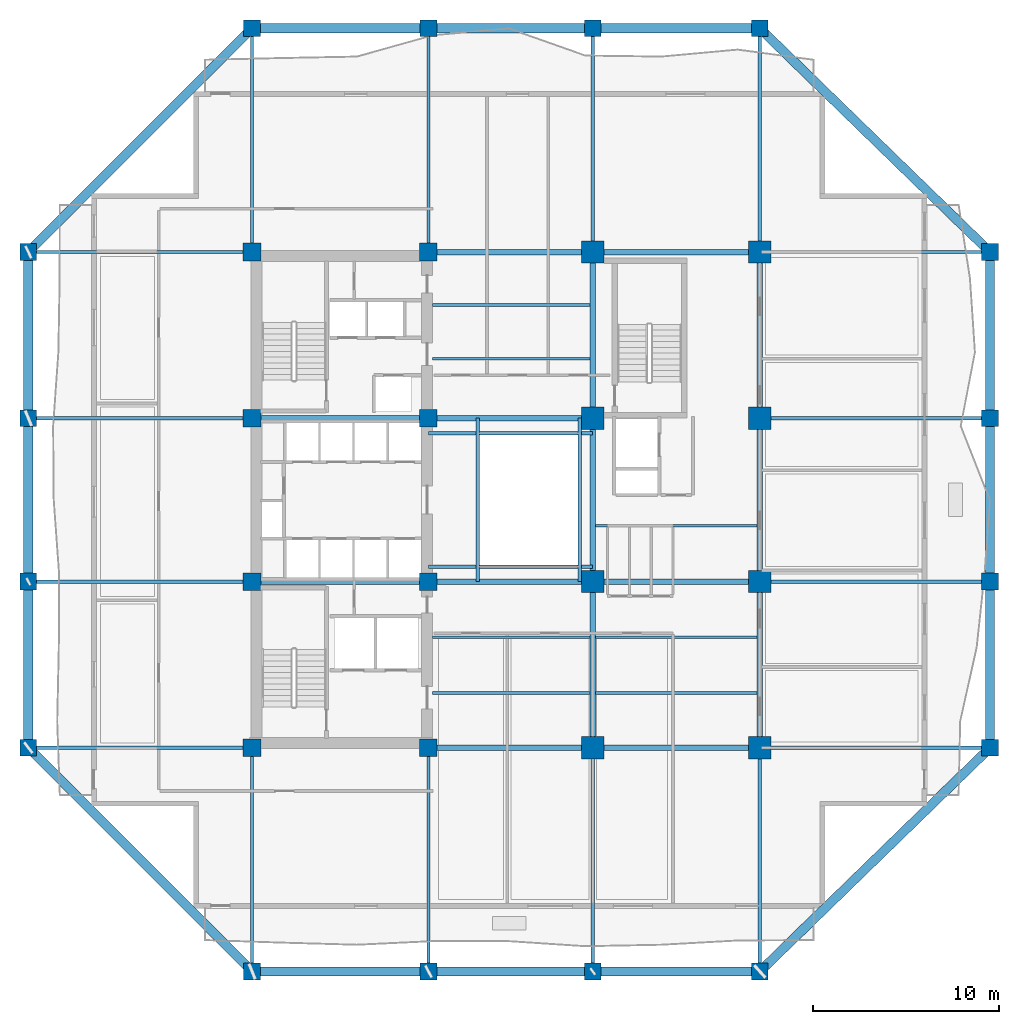
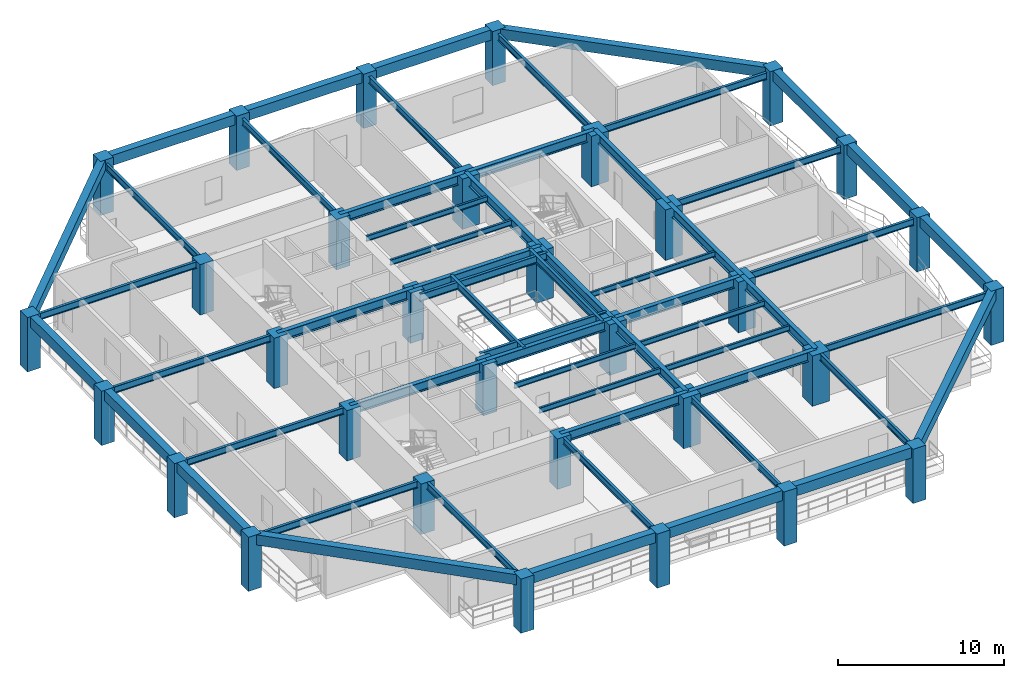
# One storey, part 1 of 13: 58 beams, 32 columns.
"""IFC4 building model written with IfcOpenShell, lengths in metres."""

from ifc_helpers import new_model, si_unit, direction, frame, origin, origin_2d, place, context, subcontext, project, spatial, rectangle, i_section, extrude, material, material_profile, profile_set, type_object, element, save


model = new_model("IFC4")

# Units and contexts
model_context = context("Model", 3, precision=1e-05, world=origin(), true_north=direction((0.0, 1.0)))
body_context = subcontext(model_context, "Body", "Model", "MODEL_VIEW")
ifc_project = project(units=[si_unit("LENGTHUNIT", "METRE"), si_unit("AREAUNIT", "SQUARE_METRE"), si_unit("VOLUMEUNIT", "CUBIC_METRE"), si_unit("PLANEANGLEUNIT", "RADIAN"), si_unit("MASSUNIT", "GRAM", prefix="KILO")], contexts=[model_context])

# Site, building, storey
site_placement = place(None, origin())
site = spatial("IfcSite", under=ifc_project, at=site_placement, CompositionType="ELEMENT")
building_placement = place(site_placement, origin())
building = spatial("IfcBuilding", under=site, at=building_placement, Name="Kundavana Baori Tower", CompositionType="ELEMENT")
storey_placement = place(building_placement, frame((0.0, 0.0, 50.0)))
storey = spatial("IfcBuildingStorey", under=building, at=storey_placement, Name="L11", CompositionType="ELEMENT", Elevation=50.0)

# Columns
ifc_material_1 = material(Name="Concrete C60/75", Category="concrete")
ifc_material_profile_1 = material_profile(ifc_material_1, rectangle(XDim=0.89990234375, YDim=0.89990234375, at=origin_2d()), Name="RC PF 900x900")
ifc_profile_set_1 = profile_set([ifc_material_profile_1], Name="Concrete C60/75")
column_type_1 = type_object("IfcColumnType", Name="COL-PF-900", PredefinedType="COLUMN", material=ifc_profile_set_1)
for number, where, z_axis, x_axis, name in (
    (1, (15.449951171875, 3.199951171875, 0.0), (0.0, 0.0, 1.0), (1.0, 0.0, 0.0), "L11 Stone-Clad Perimeter Frame Column PF-S1"),
    (2, (15.449951171875, 54.0, 0.0), (0.0, 0.0, 1.0), (1.0, 0.0, 0.0), "L11 Stone-Clad Perimeter Frame Column PF-N1"),
    (3, (24.949951171875, 3.199951171875, 0.0), (0.0, 0.0, 1.0), (1.0, 0.0, 0.0), "L11 Stone-Clad Perimeter Frame Column PF-S2"),
    (4, (24.949951171875, 54.0, 0.0), (0.0, 0.0, 1.0), (1.0, 0.0, 0.0), "L11 Stone-Clad Perimeter Frame Column PF-N2"),
    (5, (33.800048828125, 3.199951171875, 0.0), (0.0, 0.0, 1.0), (1.0, 0.0, 0.0), "L11 Stone-Clad Perimeter Frame Column PF-S3"),
    (6, (33.800048828125, 54.0, 0.0), (0.0, 0.0, 1.0), (1.0, 0.0, 0.0), "L11 Stone-Clad Perimeter Frame Column PF-N3"),
    (7, (42.800048828125, 3.199951171875, 0.0), (0.0, 0.0, 1.0), (1.0, 0.0, 0.0), "L11 Stone-Clad Perimeter Frame Column PF-S4"),
    (8, (42.800048828125, 54.0, 0.0), (0.0, 0.0, 1.0), (1.0, 0.0, 0.0), "L11 Stone-Clad Perimeter Frame Column PF-N4"),
    (9, (3.39990234375, 15.25, 0.0), (0.0, 0.0, 1.0), (1.0, 0.0, 0.0), "L11 Stone-Clad Perimeter Frame Column PF-W1"),
    (10, (55.199951171875, 15.25, 0.0), (0.0, 0.0, 1.0), (1.0, 0.0, 0.0), "L11 Stone-Clad Perimeter Frame Column PF-E1"),
    (11, (3.39990234375, 24.199951171875, 0.0), (0.0, 0.0, 1.0), (1.0, 0.0, 0.0), "L11 Stone-Clad Perimeter Frame Column PF-W2"),
    (12, (55.199951171875, 24.199951171875, 0.0), (0.0, 0.0, 1.0), (1.0, 0.0, 0.0), "L11 Stone-Clad Perimeter Frame Column PF-E2"),
    (13, (3.39990234375, 33.0, 0.0), (0.0, 0.0, 1.0), (1.0, 0.0, 0.0), "L11 Stone-Clad Perimeter Frame Column PF-W3"),
    (14, (55.199951171875, 33.0, 0.0), (0.0, 0.0, 1.0), (1.0, 0.0, 0.0), "L11 Stone-Clad Perimeter Frame Column PF-E3"),
    (15, (3.39990234375, 41.949951171875, 0.0), (0.0, 0.0, 1.0), (1.0, 0.0, 0.0), "L11 Stone-Clad Perimeter Frame Column PF-W4"),
    (16, (55.199951171875, 41.949951171875, 0.0), (0.0, 0.0, 1.0), (1.0, 0.0, 0.0), "L11 Stone-Clad Perimeter Frame Column PF-E4"),
):
    element("IfcColumn", number, at=place(storey_placement, frame(where, z_axis=z_axis, x_axis=x_axis)), inside=storey, type_object=column_type_1, Name=name, PredefinedType="COLUMN", context=body_context, shape_type="SweptSolid", body=[
        extrude(rectangle(XDim=0.89990234375, YDim=0.89990234375, at=origin_2d()), origin(), (0.0, 0.0, 1.0), 4.0),
    ])
ifc_material_2 = material(Name="Concrete C60/75", Category="concrete")
ifc_material_profile_2 = material_profile(ifc_material_2, rectangle(XDim=1.199951171875, YDim=1.199951171875, at=origin_2d()), Name="RC 1200x1200")
ifc_profile_set_2 = profile_set([ifc_material_profile_2], Name="Concrete C60/75")
column_type_2 = type_object("IfcColumnType", Name="COL-RC-1200", PredefinedType="COLUMN", material=ifc_profile_set_2)
for number, where, z_axis, x_axis, name in (
    (17, (33.800048828125, 15.25, 0.0), (0.0, 0.0, 1.0), (1.0, 0.0, 0.0), "L11 Interior Column IC-5C"),
    (18, (33.800048828125, 24.199951171875, 0.0), (0.0, 0.0, 1.0), (1.0, 0.0, 0.0), "L11 Interior Column IC-5D"),
    (19, (33.800048828125, 33.0, 0.0), (0.0, 0.0, 1.0), (1.0, 0.0, 0.0), "L11 Interior Column IC-5E"),
    (20, (33.800048828125, 41.949951171875, 0.0), (0.0, 0.0, 1.0), (1.0, 0.0, 0.0), "L11 Interior Column IC-5F"),
    (21, (42.800048828125, 15.25, 0.0), (0.0, 0.0, 1.0), (1.0, 0.0, 0.0), "L11 Interior Column IC-6C"),
    (22, (42.800048828125, 24.199951171875, 0.0), (0.0, 0.0, 1.0), (1.0, 0.0, 0.0), "L11 Interior Column IC-6D"),
    (23, (42.800048828125, 33.0, 0.0), (0.0, 0.0, 1.0), (1.0, 0.0, 0.0), "L11 Interior Column IC-6E"),
    (24, (42.800048828125, 41.949951171875, 0.0), (0.0, 0.0, 1.0), (1.0, 0.0, 0.0), "L11 Interior Column IC-6F"),
):
    element("IfcColumn", number, at=place(storey_placement, frame(where, z_axis=z_axis, x_axis=x_axis)), inside=storey, type_object=column_type_2, Name=name, PredefinedType="COLUMN", context=body_context, shape_type="SweptSolid", body=[
        extrude(rectangle(XDim=1.199951171875, YDim=1.199951171875, at=origin_2d()), origin(), (0.0, 0.0, 1.0), 3.719970703125),
    ])
ifc_material_3 = material(Name="Concrete C50/60", Category="concrete")
ifc_material_profile_3 = material_profile(ifc_material_3, rectangle(XDim=0.949951171875, YDim=0.949951171875, at=origin_2d()), Name="RC 950x950")
ifc_profile_set_3 = profile_set([ifc_material_profile_3], Name="Concrete C50/60")
column_type_3 = type_object("IfcColumnType", Name="COL-RC-950", PredefinedType="COLUMN", material=ifc_profile_set_3)
for number, where, z_axis, x_axis, name in (
    (25, (15.449951171875, 15.25, 0.0), (0.0, 0.0, 1.0), (1.0, 0.0, 0.0), "L11 Interior Column IC-3C"),
    (26, (15.449951171875, 24.199951171875, 0.0), (0.0, 0.0, 1.0), (1.0, 0.0, 0.0), "L11 Interior Column IC-3D"),
    (27, (15.449951171875, 33.0, 0.0), (0.0, 0.0, 1.0), (1.0, 0.0, 0.0), "L11 Interior Column IC-3E"),
    (28, (15.449951171875, 41.949951171875, 0.0), (0.0, 0.0, 1.0), (1.0, 0.0, 0.0), "L11 Interior Column IC-3F"),
    (29, (24.949951171875, 15.25, 0.0), (0.0, 0.0, 1.0), (1.0, 0.0, 0.0), "L11 Interior Column IC-4C"),
    (30, (24.949951171875, 24.199951171875, 0.0), (0.0, 0.0, 1.0), (1.0, 0.0, 0.0), "L11 Interior Column IC-4D"),
    (31, (24.949951171875, 33.0, 0.0), (0.0, 0.0, 1.0), (1.0, 0.0, 0.0), "L11 Interior Column IC-4E"),
    (32, (24.949951171875, 41.949951171875, 0.0), (0.0, 0.0, 1.0), (1.0, 0.0, 0.0), "L11 Interior Column IC-4F"),
):
    element("IfcColumn", number, at=place(storey_placement, frame(where, z_axis=z_axis, x_axis=x_axis)), inside=storey, type_object=column_type_3, Name=name, PredefinedType="COLUMN", context=body_context, shape_type="SweptSolid", body=[
        extrude(rectangle(XDim=0.949951171875, YDim=0.949951171875, at=origin_2d()), origin(), (0.0, 0.0, 1.0), 3.719970703125),
    ])

# Beams
ifc_material_4 = material(Name="Structural Steel S355JR", Category="steel")
ifc_material_profile_4 = material_profile(ifc_material_4, i_section(OverallWidth=0.139892578125, OverallDepth=0.39990234375, WebThickness=0.0087890625, FlangeThickness=0.01611328125, FilletRadius=0.013916015625, at=origin_2d()), Name="ISMB 400")
ifc_profile_set_4 = profile_set([ifc_material_profile_4], Name="Structural Steel S355JR")
beam_type_1 = type_object("IfcBeamType", Name="BM-JST-400", PredefinedType="JOIST", material=ifc_profile_set_4)
for number, where, z_axis, x_axis, name in (
    (33, (25.179931640625, 18.199951171875, 3.52001953125), (1.0, 0.0, 0.0), (0.0, 1.0, 0.0), "L11 Central Bay Composite Floor Joist C1"),
    (34, (25.179931640625, 21.199951171875, 3.52001953125), (1.0, 0.0, 0.0), (0.0, 1.0, 0.0), "L11 Central Bay Composite Floor Joist C2"),
    (35, (25.179931640625, 36.199951171875, 3.52001953125), (1.0, 0.0, 0.0), (0.0, 1.0, 0.0), "L11 Central Bay Composite Floor Joist C3"),
    (36, (25.179931640625, 39.10009765625, 3.52001953125), (1.0, 0.0, 0.0), (0.0, 1.0, 0.0), "L11 Central Bay Composite Floor Joist C4"),
):
    element("IfcBeam", number, at=place(storey_placement, frame(where, z_axis=z_axis, x_axis=x_axis)), inside=storey, type_object=beam_type_1, Name=name, PredefinedType="JOIST", context=body_context, shape_type="SweptSolid", body=[
        extrude(i_section(OverallWidth=0.139892578125, OverallDepth=0.39990234375, WebThickness=0.0087890625, FlangeThickness=0.01611328125, FilletRadius=0.013916015625, at=origin_2d()), origin(), (0.0, 0.0, 1.0), 8.469970703125),
    ])
for number, where, z_axis, x_axis, name in (
    (37, (33.949951171875, 18.199951171875, 3.52001953125), (1.0, 0.0, 0.0), (0.0, 1.0, 0.0), "L11 East Bay Composite Floor Joist E1"),
    (38, (33.949951171875, 21.199951171875, 3.52001953125), (1.0, 0.0, 0.0), (0.0, 1.0, 0.0), "L11 East Bay Composite Floor Joist E2"),
    (39, (33.949951171875, 27.199951171875, 3.52001953125), (1.0, 0.0, 0.0), (0.0, 1.0, 0.0), "L11 East Bay Composite Floor Joist E3"),
):
    element("IfcBeam", number, at=place(storey_placement, frame(where, z_axis=z_axis, x_axis=x_axis)), inside=storey, type_object=beam_type_1, Name=name, PredefinedType="JOIST", context=body_context, shape_type="SweptSolid", body=[
        extrude(i_section(OverallWidth=0.139892578125, OverallDepth=0.39990234375, WebThickness=0.0087890625, FlangeThickness=0.01611328125, FilletRadius=0.013916015625, at=origin_2d()), origin(), (0.0, 0.0, 1.0), 8.699951171875),
    ])
ifc_material_5 = material(Name="Concrete C50/60", Category="concrete")
ifc_material_profile_5 = material_profile(ifc_material_5, rectangle(XDim=0.5, YDim=0.75, at=origin_2d()), Name="RC BM 500x750")
ifc_profile_set_5 = profile_set([ifc_material_profile_5], Name="Concrete C50/60")
beam_type_2 = type_object("IfcBeamType", Name="BM-PF-750", PredefinedType="SPANDREL", material=ifc_profile_set_5)
beam_1_placement = place(storey_placement, frame((15.449951171875, 3.199951171875, 3.625), z_axis=(1.0, 0.0, 0.0), x_axis=(0.0, 1.0, 0.0)))
element("IfcBeam", 40, at=beam_1_placement, inside=storey, type_object=beam_type_2, Name="L11 Perimeter Frame Ring Beam S1", PredefinedType="SPANDREL", context=body_context, shape_type="SweptSolid", body=[
    extrude(rectangle(XDim=0.5, YDim=0.75, at=origin_2d()), origin(), (0.0, 0.0, 1.0), 9.5),
])
beam_2_placement = place(storey_placement, frame((24.949951171875, 3.199951171875, 3.625), z_axis=(1.0, 0.0, 0.0), x_axis=(0.0, 1.0, 0.0)))
element("IfcBeam", 41, at=beam_2_placement, inside=storey, type_object=beam_type_2, Name="L11 Perimeter Frame Ring Beam S2", PredefinedType="SPANDREL", context=body_context, shape_type="SweptSolid", body=[
    extrude(rectangle(XDim=0.5, YDim=0.75, at=origin_2d()), origin(), (0.0, 0.0, 1.0), 8.85009765625),
])
beam_3_placement = place(storey_placement, frame((33.800048828125, 3.199951171875, 3.625), z_axis=(1.0, 0.0, 0.0), x_axis=(0.0, 1.0, 0.0)))
element("IfcBeam", 42, at=beam_3_placement, inside=storey, type_object=beam_type_2, Name="L11 Perimeter Frame Ring Beam S3", PredefinedType="SPANDREL", context=body_context, shape_type="SweptSolid", body=[
    extrude(rectangle(XDim=0.5, YDim=0.75, at=origin_2d()), origin(), (0.0, 0.0, 1.0), 9.0),
])
beam_4_placement = place(storey_placement, frame((15.449951171875, 54.0, 3.625), z_axis=(1.0, 0.0, 0.0), x_axis=(0.0, 1.0, 0.0)))
element("IfcBeam", 43, at=beam_4_placement, inside=storey, type_object=beam_type_2, Name="L11 Perimeter Frame Ring Beam N1", PredefinedType="SPANDREL", context=body_context, shape_type="SweptSolid", body=[
    extrude(rectangle(XDim=0.5, YDim=0.75, at=origin_2d()), origin(), (0.0, 0.0, 1.0), 9.5),
])
beam_5_placement = place(storey_placement, frame((24.949951171875, 54.0, 3.625), z_axis=(1.0, 0.0, 0.0), x_axis=(0.0, 1.0, 0.0)))
element("IfcBeam", 44, at=beam_5_placement, inside=storey, type_object=beam_type_2, Name="L11 Perimeter Frame Ring Beam N2", PredefinedType="SPANDREL", context=body_context, shape_type="SweptSolid", body=[
    extrude(rectangle(XDim=0.5, YDim=0.75, at=origin_2d()), origin(), (0.0, 0.0, 1.0), 8.85009765625),
])
beam_6_placement = place(storey_placement, frame((33.800048828125, 54.0, 3.625), z_axis=(1.0, 0.0, 0.0), x_axis=(0.0, 1.0, 0.0)))
element("IfcBeam", 45, at=beam_6_placement, inside=storey, type_object=beam_type_2, Name="L11 Perimeter Frame Ring Beam N3", PredefinedType="SPANDREL", context=body_context, shape_type="SweptSolid", body=[
    extrude(rectangle(XDim=0.5, YDim=0.75, at=origin_2d()), origin(), (0.0, 0.0, 1.0), 9.0),
])
beam_7_placement = place(storey_placement, frame((3.39990234375, 15.25, 3.625), z_axis=(0.0, 1.0, 0.0), x_axis=(-1.0, 0.0, 0.0)))
element("IfcBeam", 46, at=beam_7_placement, inside=storey, type_object=beam_type_2, Name="L11 Perimeter Frame Ring Beam W1", PredefinedType="SPANDREL", context=body_context, shape_type="SweptSolid", body=[
    extrude(rectangle(XDim=0.5, YDim=0.75, at=origin_2d()), origin(), (0.0, 0.0, 1.0), 8.949951171875),
])
beam_8_placement = place(storey_placement, frame((3.39990234375, 24.199951171875, 3.625), z_axis=(0.0, 1.0, 0.0), x_axis=(-1.0, 0.0, 0.0)))
element("IfcBeam", 47, at=beam_8_placement, inside=storey, type_object=beam_type_2, Name="L11 Perimeter Frame Ring Beam W2", PredefinedType="SPANDREL", context=body_context, shape_type="SweptSolid", body=[
    extrude(rectangle(XDim=0.5, YDim=0.75, at=origin_2d()), origin(), (0.0, 0.0, 1.0), 8.800048828125),
])
for number, where, z_axis, x_axis, name in (
    (48, (3.39990234375, 33.0, 3.625), (0.0, 1.0, 0.0), (-1.0, 0.0, 0.0), "L11 Perimeter Frame Ring Beam W3"),
    (49, (55.199951171875, 15.25, 3.625), (0.0, 1.0, 0.0), (-1.0, 0.0, 0.0), "L11 Perimeter Frame Ring Beam E1"),
):
    element("IfcBeam", number, at=place(storey_placement, frame(where, z_axis=z_axis, x_axis=x_axis)), inside=storey, type_object=beam_type_2, Name=name, PredefinedType="SPANDREL", context=body_context, shape_type="SweptSolid", body=[
        extrude(rectangle(XDim=0.5, YDim=0.75, at=origin_2d()), origin(), (0.0, 0.0, 1.0), 8.949951171875),
    ])
beam_9_placement = place(storey_placement, frame((55.199951171875, 24.199951171875, 3.625), z_axis=(0.0, 1.0, 0.0), x_axis=(-1.0, 0.0, 0.0)))
element("IfcBeam", 50, at=beam_9_placement, inside=storey, type_object=beam_type_2, Name="L11 Perimeter Frame Ring Beam E2", PredefinedType="SPANDREL", context=body_context, shape_type="SweptSolid", body=[
    extrude(rectangle(XDim=0.5, YDim=0.75, at=origin_2d()), origin(), (0.0, 0.0, 1.0), 8.800048828125),
])
beam_10_placement = place(storey_placement, frame((55.199951171875, 33.0, 3.625), z_axis=(0.0, 1.0, 0.0), x_axis=(-1.0, 0.0, 0.0)))
element("IfcBeam", 51, at=beam_10_placement, inside=storey, type_object=beam_type_2, Name="L11 Perimeter Frame Ring Beam E3", PredefinedType="SPANDREL", context=body_context, shape_type="SweptSolid", body=[
    extrude(rectangle(XDim=0.5, YDim=0.75, at=origin_2d()), origin(), (0.0, 0.0, 1.0), 8.949951171875),
])
beam_11_placement = place(storey_placement, frame((15.449951171875, 3.199951171875, 3.625), z_axis=(-0.707106781187, 0.707106781187, 0.0), x_axis=(-0.707106781187, -0.707106781187, 0.0)))
element("IfcBeam", 52, at=beam_11_placement, inside=storey, type_object=beam_type_2, Name="L11 Notched Corner Perimeter Beam SW", PredefinedType="SPANDREL", context=body_context, shape_type="SweptSolid", body=[
    extrude(rectangle(XDim=0.5, YDim=0.75, at=origin_2d()), origin(), (0.0, 0.0, 1.0), 17.041259765625),
])
beam_12_placement = place(storey_placement, frame((42.800048828125, 3.199951171875, 3.625), z_axis=(0.717151334594, 0.696917472367, 0.0), x_axis=(-0.696917472367, 0.717151334594, 0.0)))
element("IfcBeam", 53, at=beam_12_placement, inside=storey, type_object=beam_type_2, Name="L11 Notched Corner Perimeter Beam SE", PredefinedType="SPANDREL", context=body_context, shape_type="SweptSolid", body=[
    extrude(rectangle(XDim=0.5, YDim=0.75, at=origin_2d()), origin(), (0.0, 0.0, 1.0), 17.29052734375),
])
beam_13_placement = place(storey_placement, frame((15.449951171875, 54.0, 3.625), z_axis=(-0.707106781187, -0.707106781187, 0.0), x_axis=(0.707106781187, -0.707106781187, 0.0)))
element("IfcBeam", 54, at=beam_13_placement, inside=storey, type_object=beam_type_2, Name="L11 Notched Corner Perimeter Beam NW", PredefinedType="SPANDREL", context=body_context, shape_type="SweptSolid", body=[
    extrude(rectangle(XDim=0.5, YDim=0.75, at=origin_2d()), origin(), (0.0, 0.0, 1.0), 17.041259765625),
])
beam_14_placement = place(storey_placement, frame((42.800048828125, 54.0, 3.625), z_axis=(0.717151334594, -0.696917472367, 0.0), x_axis=(0.696917472367, 0.717151334594, 0.0)))
element("IfcBeam", 55, at=beam_14_placement, inside=storey, type_object=beam_type_2, Name="L11 Notched Corner Perimeter Beam NE", PredefinedType="SPANDREL", context=body_context, shape_type="SweptSolid", body=[
    extrude(rectangle(XDim=0.5, YDim=0.75, at=origin_2d()), origin(), (0.0, 0.0, 1.0), 17.29052734375),
])
ifc_material_6 = material(Name="Structural Steel S355JR", Category="steel")
ifc_material_profile_6 = material_profile(ifc_material_6, i_section(OverallWidth=0.18994140625, OverallDepth=0.550048828125, WebThickness=0.01123046875, FlangeThickness=0.019287109375, FilletRadius=0.01806640625, at=origin_2d()), Name="ISMB 550")
ifc_profile_set_6 = profile_set([ifc_material_profile_6], Name="Structural Steel S355JR")
beam_type_3 = type_object("IfcBeamType", Name="BM-ST-550", PredefinedType="BEAM", material=ifc_profile_set_6)
for number, where, z_axis, x_axis, name in (
    (56, (27.60009765625, 24.199951171875, 3.445068359375), (0.0, 1.0, 0.0), (-1.0, 0.0, 0.0), "L11 Atrium West Edge Beam"),
    (57, (33.10009765625, 24.199951171875, 3.445068359375), (0.0, 1.0, 0.0), (-1.0, 0.0, 0.0), "L11 Atrium East Edge Beam"),
):
    element("IfcBeam", number, at=place(storey_placement, frame(where, z_axis=z_axis, x_axis=x_axis)), inside=storey, type_object=beam_type_3, Name=name, PredefinedType="BEAM", context=body_context, shape_type="SweptSolid", body=[
        extrude(i_section(OverallWidth=0.18994140625, OverallDepth=0.550048828125, WebThickness=0.01123046875, FlangeThickness=0.019287109375, FilletRadius=0.01806640625, at=origin_2d()), origin(), (0.0, 0.0, 1.0), 8.800048828125),
    ])
for number, where, z_axis, x_axis, name in (
    (58, (24.949951171875, 25.0, 3.445068359375), (1.0, 0.0, 0.0), (0.0, 1.0, 0.0), "L11 Atrium South Edge Beam"),
    (59, (24.949951171875, 32.199951171875, 3.445068359375), (1.0, 0.0, 0.0), (0.0, 1.0, 0.0), "L11 Atrium North Edge Beam"),
):
    element("IfcBeam", number, at=place(storey_placement, frame(where, z_axis=z_axis, x_axis=x_axis)), inside=storey, type_object=beam_type_3, Name=name, PredefinedType="BEAM", context=body_context, shape_type="SweptSolid", body=[
        extrude(i_section(OverallWidth=0.18994140625, OverallDepth=0.550048828125, WebThickness=0.01123046875, FlangeThickness=0.019287109375, FilletRadius=0.01806640625, at=origin_2d()), origin(), (0.0, 0.0, 1.0), 8.85009765625),
    ])
ifc_material_7 = material(Name="Structural Steel S355JR", Category="steel")
ifc_material_profile_7 = material_profile(ifc_material_7, i_section(OverallWidth=0.300048828125, OverallDepth=0.699951171875, WebThickness=0.014404296875, FlangeThickness=0.02392578125, FilletRadius=0.02392578125, at=origin_2d()), Name="NPB 700x300x170")
ifc_profile_set_7 = profile_set([ifc_material_profile_7], Name="Structural Steel S355JR")
beam_type_4 = type_object("IfcBeamType", Name="BM-ST-700", PredefinedType="BEAM", material=ifc_profile_set_7)
beam_15_placement = place(storey_placement, frame((24.949951171875, 15.25, 3.3701171875), z_axis=(1.0, 0.0, 0.0), x_axis=(0.0, 1.0, 0.0)))
element("IfcBeam", 60, at=beam_15_placement, inside=storey, type_object=beam_type_4, Name="L11 Primary Grid Girder GX-1-2", PredefinedType="BEAM", context=body_context, shape_type="SweptSolid", body=[
    extrude(i_section(OverallWidth=0.300048828125, OverallDepth=0.699951171875, WebThickness=0.014404296875, FlangeThickness=0.02392578125, FilletRadius=0.02392578125, at=origin_2d()), origin(), (0.0, 0.0, 1.0), 8.85009765625),
])
beam_16_placement = place(storey_placement, frame((33.800048828125, 15.25, 3.3701171875), z_axis=(1.0, 0.0, 0.0), x_axis=(0.0, 1.0, 0.0)))
element("IfcBeam", 61, at=beam_16_placement, inside=storey, type_object=beam_type_4, Name="L11 Primary Grid Girder GX-1-3", PredefinedType="BEAM", context=body_context, shape_type="SweptSolid", body=[
    extrude(i_section(OverallWidth=0.300048828125, OverallDepth=0.699951171875, WebThickness=0.014404296875, FlangeThickness=0.02392578125, FilletRadius=0.02392578125, at=origin_2d()), origin(), (0.0, 0.0, 1.0), 9.0),
])
beam_17_placement = place(storey_placement, frame((15.449951171875, 24.199951171875, 3.3701171875), z_axis=(1.0, 0.0, 0.0), x_axis=(0.0, 1.0, 0.0)))
element("IfcBeam", 62, at=beam_17_placement, inside=storey, type_object=beam_type_4, Name="L11 Primary Grid Girder GX-2-1", PredefinedType="BEAM", context=body_context, shape_type="SweptSolid", body=[
    extrude(i_section(OverallWidth=0.300048828125, OverallDepth=0.699951171875, WebThickness=0.014404296875, FlangeThickness=0.02392578125, FilletRadius=0.02392578125, at=origin_2d()), origin(), (0.0, 0.0, 1.0), 9.5),
])
beam_18_placement = place(storey_placement, frame((24.949951171875, 24.199951171875, 3.3701171875), z_axis=(1.0, 0.0, 0.0), x_axis=(0.0, 1.0, 0.0)))
element("IfcBeam", 63, at=beam_18_placement, inside=storey, type_object=beam_type_4, Name="L11 Primary Grid Girder GX-2-2", PredefinedType="BEAM", context=body_context, shape_type="SweptSolid", body=[
    extrude(i_section(OverallWidth=0.300048828125, OverallDepth=0.699951171875, WebThickness=0.014404296875, FlangeThickness=0.02392578125, FilletRadius=0.02392578125, at=origin_2d()), origin(), (0.0, 0.0, 1.0), 8.85009765625),
])
beam_19_placement = place(storey_placement, frame((33.800048828125, 24.199951171875, 3.3701171875), z_axis=(1.0, 0.0, 0.0), x_axis=(0.0, 1.0, 0.0)))
element("IfcBeam", 64, at=beam_19_placement, inside=storey, type_object=beam_type_4, Name="L11 Primary Grid Girder GX-2-3", PredefinedType="BEAM", context=body_context, shape_type="SweptSolid", body=[
    extrude(i_section(OverallWidth=0.300048828125, OverallDepth=0.699951171875, WebThickness=0.014404296875, FlangeThickness=0.02392578125, FilletRadius=0.02392578125, at=origin_2d()), origin(), (0.0, 0.0, 1.0), 9.0),
])
beam_20_placement = place(storey_placement, frame((15.449951171875, 33.0, 3.3701171875), z_axis=(1.0, 0.0, 0.0), x_axis=(0.0, 1.0, 0.0)))
element("IfcBeam", 65, at=beam_20_placement, inside=storey, type_object=beam_type_4, Name="L11 Primary Grid Girder GX-3-1", PredefinedType="BEAM", context=body_context, shape_type="SweptSolid", body=[
    extrude(i_section(OverallWidth=0.300048828125, OverallDepth=0.699951171875, WebThickness=0.014404296875, FlangeThickness=0.02392578125, FilletRadius=0.02392578125, at=origin_2d()), origin(), (0.0, 0.0, 1.0), 9.5),
])
for number, where, z_axis, x_axis, name in (
    (66, (24.949951171875, 33.0, 3.3701171875), (1.0, 0.0, 0.0), (0.0, 1.0, 0.0), "L11 Primary Grid Girder GX-3-2"),
    (67, (24.949951171875, 41.949951171875, 3.3701171875), (1.0, 0.0, 0.0), (0.0, 1.0, 0.0), "L11 Primary Grid Girder GX-4-2"),
):
    element("IfcBeam", number, at=place(storey_placement, frame(where, z_axis=z_axis, x_axis=x_axis)), inside=storey, type_object=beam_type_4, Name=name, PredefinedType="BEAM", context=body_context, shape_type="SweptSolid", body=[
        extrude(i_section(OverallWidth=0.300048828125, OverallDepth=0.699951171875, WebThickness=0.014404296875, FlangeThickness=0.02392578125, FilletRadius=0.02392578125, at=origin_2d()), origin(), (0.0, 0.0, 1.0), 8.85009765625),
    ])
beam_21_placement = place(storey_placement, frame((33.800048828125, 41.949951171875, 3.3701171875), z_axis=(1.0, 0.0, 0.0), x_axis=(0.0, 1.0, 0.0)))
element("IfcBeam", 68, at=beam_21_placement, inside=storey, type_object=beam_type_4, Name="L11 Primary Grid Girder GX-4-3", PredefinedType="BEAM", context=body_context, shape_type="SweptSolid", body=[
    extrude(i_section(OverallWidth=0.300048828125, OverallDepth=0.699951171875, WebThickness=0.014404296875, FlangeThickness=0.02392578125, FilletRadius=0.02392578125, at=origin_2d()), origin(), (0.0, 0.0, 1.0), 9.0),
])
beam_22_placement = place(storey_placement, frame((33.800048828125, 15.25, 3.3701171875), z_axis=(0.0, 1.0, 0.0), x_axis=(-1.0, 0.0, 0.0)))
element("IfcBeam", 69, at=beam_22_placement, inside=storey, type_object=beam_type_4, Name="L11 Primary Grid Girder GY-3-1", PredefinedType="BEAM", context=body_context, shape_type="SweptSolid", body=[
    extrude(i_section(OverallWidth=0.300048828125, OverallDepth=0.699951171875, WebThickness=0.014404296875, FlangeThickness=0.02392578125, FilletRadius=0.02392578125, at=origin_2d()), origin(), (0.0, 0.0, 1.0), 8.949951171875),
])
beam_23_placement = place(storey_placement, frame((33.800048828125, 24.199951171875, 3.3701171875), z_axis=(0.0, 1.0, 0.0), x_axis=(-1.0, 0.0, 0.0)))
element("IfcBeam", 70, at=beam_23_placement, inside=storey, type_object=beam_type_4, Name="L11 Primary Grid Girder GY-3-2", PredefinedType="BEAM", context=body_context, shape_type="SweptSolid", body=[
    extrude(i_section(OverallWidth=0.300048828125, OverallDepth=0.699951171875, WebThickness=0.014404296875, FlangeThickness=0.02392578125, FilletRadius=0.02392578125, at=origin_2d()), origin(), (0.0, 0.0, 1.0), 8.800048828125),
])
for number, where, z_axis, x_axis, name in (
    (71, (33.800048828125, 33.0, 3.3701171875), (0.0, 1.0, 0.0), (-1.0, 0.0, 0.0), "L11 Primary Grid Girder GY-3-3"),
    (72, (42.800048828125, 15.25, 3.3701171875), (0.0, 1.0, 0.0), (-1.0, 0.0, 0.0), "L11 Primary Grid Girder GY-4-1"),
):
    element("IfcBeam", number, at=place(storey_placement, frame(where, z_axis=z_axis, x_axis=x_axis)), inside=storey, type_object=beam_type_4, Name=name, PredefinedType="BEAM", context=body_context, shape_type="SweptSolid", body=[
        extrude(i_section(OverallWidth=0.300048828125, OverallDepth=0.699951171875, WebThickness=0.014404296875, FlangeThickness=0.02392578125, FilletRadius=0.02392578125, at=origin_2d()), origin(), (0.0, 0.0, 1.0), 8.949951171875),
    ])
beam_24_placement = place(storey_placement, frame((42.800048828125, 24.199951171875, 3.3701171875), z_axis=(0.0, 1.0, 0.0), x_axis=(-1.0, 0.0, 0.0)))
element("IfcBeam", 73, at=beam_24_placement, inside=storey, type_object=beam_type_4, Name="L11 Primary Grid Girder GY-4-2", PredefinedType="BEAM", context=body_context, shape_type="SweptSolid", body=[
    extrude(i_section(OverallWidth=0.300048828125, OverallDepth=0.699951171875, WebThickness=0.014404296875, FlangeThickness=0.02392578125, FilletRadius=0.02392578125, at=origin_2d()), origin(), (0.0, 0.0, 1.0), 8.800048828125),
])
beam_25_placement = place(storey_placement, frame((42.800048828125, 33.0, 3.3701171875), z_axis=(0.0, 1.0, 0.0), x_axis=(-1.0, 0.0, 0.0)))
element("IfcBeam", 74, at=beam_25_placement, inside=storey, type_object=beam_type_4, Name="L11 Primary Grid Girder GY-4-3", PredefinedType="BEAM", context=body_context, shape_type="SweptSolid", body=[
    extrude(i_section(OverallWidth=0.300048828125, OverallDepth=0.699951171875, WebThickness=0.014404296875, FlangeThickness=0.02392578125, FilletRadius=0.02392578125, at=origin_2d()), origin(), (0.0, 0.0, 1.0), 8.949951171875),
])
ifc_material_8 = material(Name="Structural Steel S355JR", Category="steel")
ifc_material_profile_8 = material_profile(ifc_material_8, i_section(OverallWidth=0.179931640625, OverallDepth=0.5, WebThickness=0.01025390625, FlangeThickness=0.01708984375, FilletRadius=0.01708984375, at=origin_2d()), Name="ISMB 500")
ifc_profile_set_8 = profile_set([ifc_material_profile_8], Name="Structural Steel S355JR")
beam_type_5 = type_object("IfcBeamType", Name="BM-TIE-500", PredefinedType="BEAM", material=ifc_profile_set_8)
for number, where, z_axis, x_axis, name in (
    (75, (15.449951171875, 15.25, 3.469970703125), (0.0, -1.0, 0.0), (1.0, 0.0, 0.0), "L11 South Radial Loggia Tie Beam S1"),
    (76, (15.449951171875, 41.949951171875, 3.469970703125), (0.0, 1.0, 0.0), (-1.0, 0.0, 0.0), "L11 North Radial Loggia Tie Beam N1"),
    (77, (24.949951171875, 15.25, 3.469970703125), (0.0, -1.0, 0.0), (1.0, 0.0, 0.0), "L11 South Radial Loggia Tie Beam S2"),
    (78, (24.949951171875, 41.949951171875, 3.469970703125), (0.0, 1.0, 0.0), (-1.0, 0.0, 0.0), "L11 North Radial Loggia Tie Beam N2"),
    (79, (33.800048828125, 15.25, 3.469970703125), (0.0, -1.0, 0.0), (1.0, 0.0, 0.0), "L11 South Radial Loggia Tie Beam S3"),
    (80, (33.800048828125, 41.949951171875, 3.469970703125), (0.0, 1.0, 0.0), (-1.0, 0.0, 0.0), "L11 North Radial Loggia Tie Beam N3"),
    (81, (42.800048828125, 15.25, 3.469970703125), (0.0, -1.0, 0.0), (1.0, 0.0, 0.0), "L11 South Radial Loggia Tie Beam S4"),
    (82, (42.800048828125, 41.949951171875, 3.469970703125), (0.0, 1.0, 0.0), (-1.0, 0.0, 0.0), "L11 North Radial Loggia Tie Beam N4"),
    (83, (15.449951171875, 15.25, 3.469970703125), (-1.0, 0.0, 0.0), (0.0, -1.0, 0.0), "L11 West Radial Loggia Tie Beam W1"),
):
    element("IfcBeam", number, at=place(storey_placement, frame(where, z_axis=z_axis, x_axis=x_axis)), inside=storey, type_object=beam_type_5, Name=name, PredefinedType="BEAM", context=body_context, shape_type="SweptSolid", body=[
        extrude(i_section(OverallWidth=0.179931640625, OverallDepth=0.5, WebThickness=0.01025390625, FlangeThickness=0.01708984375, FilletRadius=0.01708984375, at=origin_2d()), origin(), (0.0, 0.0, 1.0), 12.050048828125),
    ])
beam_26_placement = place(storey_placement, frame((42.800048828125, 15.25, 3.469970703125), z_axis=(1.0, 0.0, 0.0), x_axis=(0.0, 1.0, 0.0)))
element("IfcBeam", 84, at=beam_26_placement, inside=storey, type_object=beam_type_5, Name="L11 East Radial Loggia Tie Beam E1", PredefinedType="BEAM", context=body_context, shape_type="SweptSolid", body=[
    extrude(i_section(OverallWidth=0.179931640625, OverallDepth=0.5, WebThickness=0.01025390625, FlangeThickness=0.01708984375, FilletRadius=0.01708984375, at=origin_2d()), origin(), (0.0, 0.0, 1.0), 12.39990234375),
])
beam_27_placement = place(storey_placement, frame((15.449951171875, 24.199951171875, 3.469970703125), z_axis=(-1.0, 0.0, 0.0), x_axis=(0.0, -1.0, 0.0)))
element("IfcBeam", 85, at=beam_27_placement, inside=storey, type_object=beam_type_5, Name="L11 West Radial Loggia Tie Beam W2", PredefinedType="BEAM", context=body_context, shape_type="SweptSolid", body=[
    extrude(i_section(OverallWidth=0.179931640625, OverallDepth=0.5, WebThickness=0.01025390625, FlangeThickness=0.01708984375, FilletRadius=0.01708984375, at=origin_2d()), origin(), (0.0, 0.0, 1.0), 12.050048828125),
])
beam_28_placement = place(storey_placement, frame((42.800048828125, 24.199951171875, 3.469970703125), z_axis=(1.0, 0.0, 0.0), x_axis=(0.0, 1.0, 0.0)))
element("IfcBeam", 86, at=beam_28_placement, inside=storey, type_object=beam_type_5, Name="L11 East Radial Loggia Tie Beam E2", PredefinedType="BEAM", context=body_context, shape_type="SweptSolid", body=[
    extrude(i_section(OverallWidth=0.179931640625, OverallDepth=0.5, WebThickness=0.01025390625, FlangeThickness=0.01708984375, FilletRadius=0.01708984375, at=origin_2d()), origin(), (0.0, 0.0, 1.0), 12.39990234375),
])
beam_29_placement = place(storey_placement, frame((15.449951171875, 33.0, 3.469970703125), z_axis=(-1.0, 0.0, 0.0), x_axis=(0.0, -1.0, 0.0)))
element("IfcBeam", 87, at=beam_29_placement, inside=storey, type_object=beam_type_5, Name="L11 West Radial Loggia Tie Beam W3", PredefinedType="BEAM", context=body_context, shape_type="SweptSolid", body=[
    extrude(i_section(OverallWidth=0.179931640625, OverallDepth=0.5, WebThickness=0.01025390625, FlangeThickness=0.01708984375, FilletRadius=0.01708984375, at=origin_2d()), origin(), (0.0, 0.0, 1.0), 12.050048828125),
])
beam_30_placement = place(storey_placement, frame((42.800048828125, 33.0, 3.469970703125), z_axis=(1.0, 0.0, 0.0), x_axis=(0.0, 1.0, 0.0)))
element("IfcBeam", 88, at=beam_30_placement, inside=storey, type_object=beam_type_5, Name="L11 East Radial Loggia Tie Beam E3", PredefinedType="BEAM", context=body_context, shape_type="SweptSolid", body=[
    extrude(i_section(OverallWidth=0.179931640625, OverallDepth=0.5, WebThickness=0.01025390625, FlangeThickness=0.01708984375, FilletRadius=0.01708984375, at=origin_2d()), origin(), (0.0, 0.0, 1.0), 12.39990234375),
])
beam_31_placement = place(storey_placement, frame((15.449951171875, 41.949951171875, 3.469970703125), z_axis=(-1.0, 0.0, 0.0), x_axis=(0.0, -1.0, 0.0)))
element("IfcBeam", 89, at=beam_31_placement, inside=storey, type_object=beam_type_5, Name="L11 West Radial Loggia Tie Beam W4", PredefinedType="BEAM", context=body_context, shape_type="SweptSolid", body=[
    extrude(i_section(OverallWidth=0.179931640625, OverallDepth=0.5, WebThickness=0.01025390625, FlangeThickness=0.01708984375, FilletRadius=0.01708984375, at=origin_2d()), origin(), (0.0, 0.0, 1.0), 12.050048828125),
])
beam_32_placement = place(storey_placement, frame((42.800048828125, 41.949951171875, 3.469970703125), z_axis=(1.0, 0.0, 0.0), x_axis=(0.0, 1.0, 0.0)))
element("IfcBeam", 90, at=beam_32_placement, inside=storey, type_object=beam_type_5, Name="L11 East Radial Loggia Tie Beam E4", PredefinedType="BEAM", context=body_context, shape_type="SweptSolid", body=[
    extrude(i_section(OverallWidth=0.179931640625, OverallDepth=0.5, WebThickness=0.01025390625, FlangeThickness=0.01708984375, FilletRadius=0.01708984375, at=origin_2d()), origin(), (0.0, 0.0, 1.0), 12.39990234375),
])

save(model, "model.ifc")
